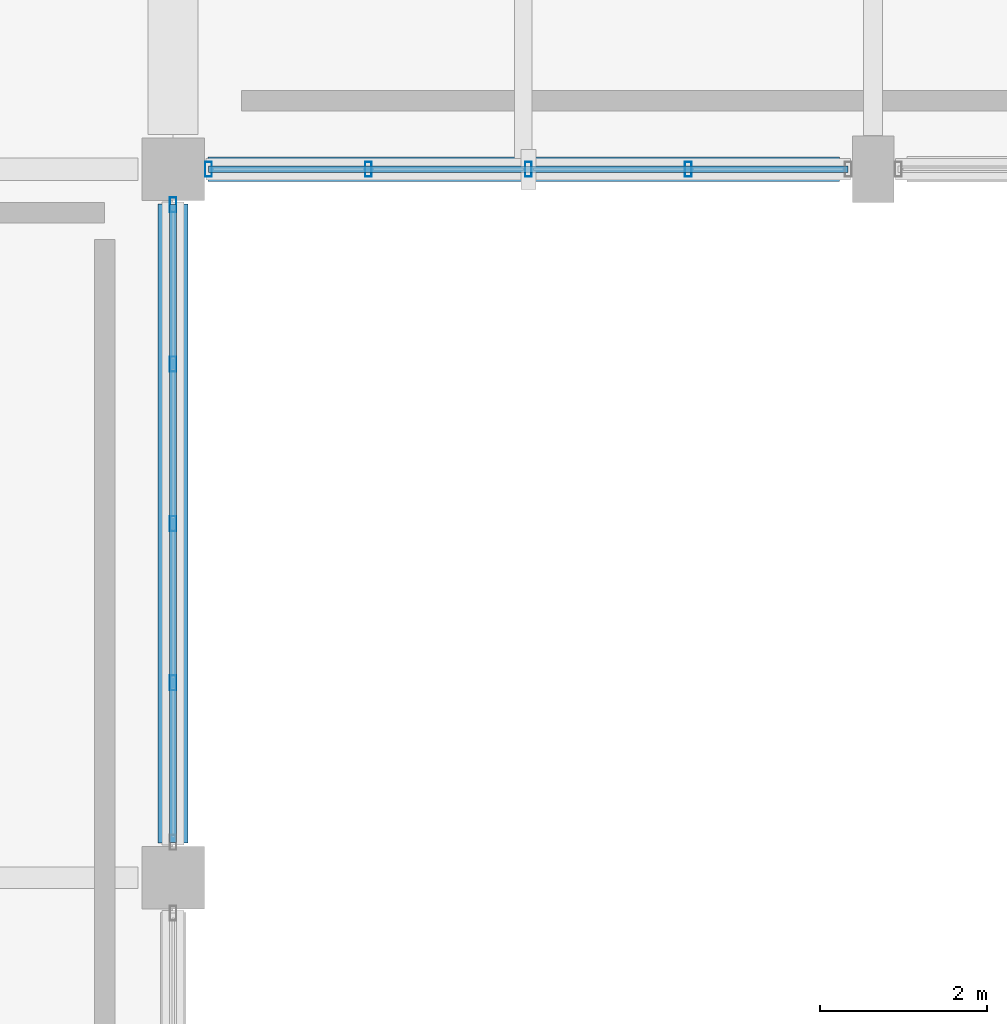
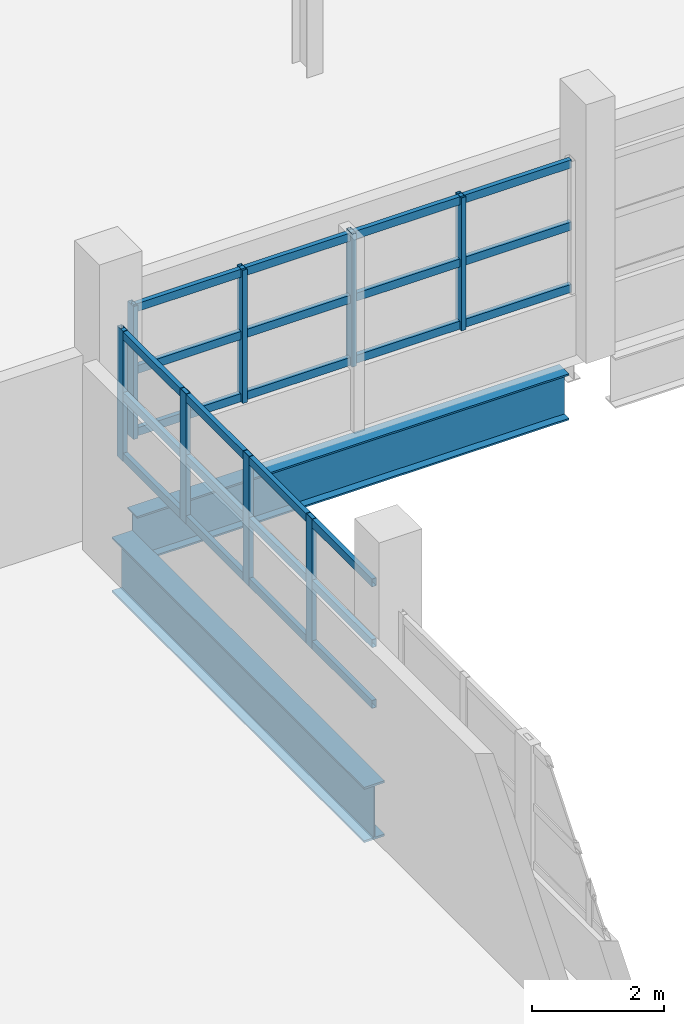
# One storey, part 38 of 117: 14 members, 2 beams, 2 elements without a shape of their own.
"""IFC4 building model written with IfcOpenShell, lengths in metres."""

from ifc_helpers import new_model, si_unit, direction, frame, origin, origin_2d, place, context, subcontext, project, spatial, hollow_rectangle, i_section, extrude, material, material_profile, profile_set, type_object, element, aggregate, save


model = new_model("IFC4")

# Units and contexts
model_context = context("Model", 3, precision=1e-05, world=origin(), true_north=direction((0.0, 1.0)))
body_context = subcontext(model_context, "Body", "Model", "MODEL_VIEW")
ifc_project = project(units=[si_unit("LENGTHUNIT", "METRE"), si_unit("AREAUNIT", "SQUARE_METRE"), si_unit("VOLUMEUNIT", "CUBIC_METRE"), si_unit("PLANEANGLEUNIT", "RADIAN"), si_unit("MASSUNIT", "GRAM", prefix="KILO")], contexts=[model_context])

# Site, building, storey
site_placement = place(None, origin())
site = spatial("IfcSite", under=ifc_project, at=site_placement, CompositionType="ELEMENT")
building_placement = place(site_placement, origin())
building = spatial("IfcBuilding", under=site, at=building_placement, Name="Solvento Point Concert Hall", CompositionType="ELEMENT")
storey_placement = place(building_placement, frame((0.0, 0.0, 5.39990234375)))
storey = spatial("IfcBuildingStorey", under=building, at=storey_placement, Name="L01", CompositionType="ELEMENT", Elevation=5.39990234375)

# Beams
ifc_material_1 = material(Name="Structural Steel ASTM A992 Grade 50", Category="steel")
ifc_material_profile_1 = material_profile(ifc_material_1, i_section(OverallWidth=0.2919921875, OverallDepth=0.85888671875, WebThickness=0.01708984375, FlangeThickness=0.031005859375, at=origin_2d()), Name="W33X169")
ifc_profile_set_1 = profile_set([ifc_material_profile_1], Name="Structural Steel ASTM A992 Grade 50")
beam_type_1 = type_object("IfcBeamType", Name="Girder_W33X169", PredefinedType="USERDEFINED", material=ifc_profile_set_1)
beam_1_placement = place(storey_placement, frame((24.4189453125, 119.0, -0.71337890625), z_axis=(1.0, 0.0, 0.0), x_axis=(0.0, 1.0, 0.0)))
element("IfcBeam", 1, at=beam_1_placement, inside=storey, type_object=beam_type_1, Name="Primary girder B-33 L01", ObjectType="GIRDER", PredefinedType="USERDEFINED", context=body_context, shape_type="SweptSolid", body=[
    extrude(i_section(OverallWidth=0.2919921875, OverallDepth=0.85888671875, WebThickness=0.01708984375, FlangeThickness=0.031005859375, at=origin_2d()), origin(), (0.0, 0.0, 1.0), 7.5771484375),
])
ifc_material_2 = material(Name="Structural Steel ASTM A992 Grade 50", Category="steel")
ifc_material_profile_2 = material_profile(ifc_material_2, i_section(OverallWidth=0.361083984375, OverallDepth=1.02587890625, WebThickness=0.01904296875, FlangeThickness=0.0361328125, at=origin_2d()), Name="W40X249")
ifc_profile_set_2 = profile_set([ifc_material_profile_2], Name="Structural Steel ASTM A992 Grade 50")
beam_type_2 = type_object("IfcBeamType", Name="Girder_W40X249", PredefinedType="USERDEFINED", material=ifc_profile_set_2)
beam_2_placement = place(storey_placement, frame((24.0, 110.9189453125, -0.796875), z_axis=(0.0, 1.0, 0.0), x_axis=(-1.0, 0.0, 0.0)))
element("IfcBeam", 2, at=beam_2_placement, inside=storey, type_object=beam_type_2, Name="Primary girder B-29 L01", ObjectType="GIRDER", PredefinedType="USERDEFINED", context=body_context, shape_type="SweptSolid", body=[
    extrude(i_section(OverallWidth=0.361083984375, OverallDepth=1.02587890625, WebThickness=0.01904296875, FlangeThickness=0.0361328125, at=origin_2d()), origin(), (0.0, 0.0, 1.0), 7.662109375),
])

# Curtain wall, members
ifc_material_3 = material(Name="Anodized Bronze Aluminium", Category="aluminium")
curtain_wall_type = type_object("IfcCurtainWallType", Name="CurtainWall_CourtPilotis", PredefinedType="USERDEFINED", material=ifc_material_3)
curtain_wall_1_placement = place(storey_placement, origin())
curtain_wall_1 = element("IfcCurtainWall", 3, at=curtain_wall_1_placement, inside=storey, type_object=curtain_wall_type, Name="Unitised curtain wall CW-96 UCW-L01-134", ObjectType="UNITISED CURTAIN WALL", PredefinedType="USERDEFINED")
ifc_material_4 = material(Name="Anodized Bronze Aluminium", Category="aluminium")
ifc_material_profile_3 = material_profile(ifc_material_4, hollow_rectangle(XDim=0.080078125, YDim=0.179931640625, WallThickness=0.00390625, at=origin_2d()), Name="CW-MUL-80X180")
ifc_profile_set_3 = profile_set([ifc_material_profile_3], Name="Anodized Bronze Aluminium")
member_type_1 = type_object("IfcMemberType", Name="Mullion_80x180", PredefinedType="MULLION", material=ifc_profile_set_3)
member_1_placement = place(storey_placement, frame((24.425048828125, 119.0, 1.1201171875), z_axis=(0.0, 0.0, 1.0), x_axis=(1.0, 0.0, 0.0)))
member_1 = element("IfcMember", 4, at=member_1_placement, type_object=member_type_1, Name="Curtain wall mullion ML-01", PredefinedType="MULLION", context=body_context, shape_type="SweptSolid", body=[
    extrude(hollow_rectangle(XDim=0.080078125, YDim=0.179931640625, WallThickness=0.00390625, at=origin_2d()), origin(), (0.0, 0.0, 1.0), 2.467041015625),
])
member_2_placement = place(storey_placement, frame((26.34375, 119.0, 1.1201171875), z_axis=(0.0, 0.0, 1.0), x_axis=(1.0, 0.0, 0.0)))
member_2 = element("IfcMember", 5, at=member_2_placement, type_object=member_type_1, Name="Curtain wall mullion ML-01", PredefinedType="MULLION", context=body_context, shape_type="SweptSolid", body=[
    extrude(hollow_rectangle(XDim=0.080078125, YDim=0.179931640625, WallThickness=0.00390625, at=origin_2d()), origin(), (0.0, 0.0, 1.0), 2.467041015625),
])
member_3_placement = place(storey_placement, frame((28.262451171875, 119.0, 1.1201171875), z_axis=(0.0, 0.0, 1.0), x_axis=(1.0, 0.0, 0.0)))
member_3 = element("IfcMember", 6, at=member_3_placement, type_object=member_type_1, Name="Curtain wall mullion ML-01", PredefinedType="MULLION", context=body_context, shape_type="SweptSolid", body=[
    extrude(hollow_rectangle(XDim=0.080078125, YDim=0.179931640625, WallThickness=0.00390625, at=origin_2d()), origin(), (0.0, 0.0, 1.0), 2.467041015625),
])
member_4_placement = place(storey_placement, frame((30.181396484375, 119.0, 1.1201171875), z_axis=(0.0, 0.0, 1.0), x_axis=(1.0, 0.0, 0.0)))
member_4 = element("IfcMember", 7, at=member_4_placement, type_object=member_type_1, Name="Curtain wall mullion ML-01", PredefinedType="MULLION", context=body_context, shape_type="SweptSolid", body=[
    extrude(hollow_rectangle(XDim=0.080078125, YDim=0.179931640625, WallThickness=0.00390625, at=origin_2d()), origin(), (0.0, 0.0, 1.0), 2.467041015625),
])

curtain_wall_2_placement = place(storey_placement, origin())
curtain_wall_2 = element("IfcCurtainWall", 8, at=curtain_wall_2_placement, inside=storey, type_object=curtain_wall_type, Name="Unitised curtain wall CW-96 UCW-L01-141", ObjectType="UNITISED CURTAIN WALL", PredefinedType="USERDEFINED")
member_5_placement = place(storey_placement, frame((24.0, 112.83740234375, 1.1201171875), z_axis=(0.0, 0.0, 1.0), x_axis=(1.0, 0.0, 0.0)))
member_5 = element("IfcMember", 9, at=member_5_placement, type_object=member_type_1, Name="Curtain wall mullion ML-01", PredefinedType="MULLION", context=body_context, shape_type="SweptSolid", body=[
    extrude(hollow_rectangle(XDim=0.080078125, YDim=0.179931640625, WallThickness=0.00390625, at=origin_2d()), origin(), (0.0, 0.0, 1.0), 2.4140625),
])
member_6_placement = place(storey_placement, frame((24.0, 114.75, 1.1201171875), z_axis=(0.0, 0.0, 1.0), x_axis=(1.0, 0.0, 0.0)))
member_6 = element("IfcMember", 10, at=member_6_placement, type_object=member_type_1, Name="Curtain wall mullion ML-01", PredefinedType="MULLION", context=body_context, shape_type="SweptSolid", body=[
    extrude(hollow_rectangle(XDim=0.080078125, YDim=0.179931640625, WallThickness=0.00390625, at=origin_2d()), origin(), (0.0, 0.0, 1.0), 2.4140625),
])
member_7_placement = place(storey_placement, frame((24.0, 116.66259765625, 1.1201171875), z_axis=(0.0, 0.0, 1.0), x_axis=(1.0, 0.0, 0.0)))
member_7 = element("IfcMember", 11, at=member_7_placement, type_object=member_type_1, Name="Curtain wall mullion ML-01", PredefinedType="MULLION", context=body_context, shape_type="SweptSolid", body=[
    extrude(hollow_rectangle(XDim=0.080078125, YDim=0.179931640625, WallThickness=0.00390625, at=origin_2d()), origin(), (0.0, 0.0, 1.0), 2.4140625),
])
member_8_placement = place(storey_placement, frame((24.0, 118.574951171875, 1.1201171875), z_axis=(0.0, 0.0, 1.0), x_axis=(1.0, 0.0, 0.0)))
member_8 = element("IfcMember", 12, at=member_8_placement, type_object=member_type_1, Name="Curtain wall mullion ML-01", PredefinedType="MULLION", context=body_context, shape_type="SweptSolid", body=[
    extrude(hollow_rectangle(XDim=0.080078125, YDim=0.179931640625, WallThickness=0.00390625, at=origin_2d()), origin(), (0.0, 0.0, 1.0), 2.4140625),
])

# Member
ifc_material_5 = material(Name="Anodized Bronze Aluminium", Category="aluminium")
ifc_material_profile_4 = material_profile(ifc_material_5, hollow_rectangle(XDim=0.080078125, YDim=0.14990234375, WallThickness=0.00390625, at=origin_2d()), Name="CW-TRN-80X150")
ifc_profile_set_4 = profile_set([ifc_material_profile_4], Name="Anodized Bronze Aluminium")
member_type_2 = type_object("IfcMemberType", Name="Transom_80x150", PredefinedType="USERDEFINED", material=ifc_profile_set_4)
member_9_placement = place(storey_placement, frame((24.425048828125, 119.0, 1.2001953125), z_axis=(1.0, 0.0, 0.0), x_axis=(0.0, 1.0, 0.0)))
member_9 = element("IfcMember", 13, at=member_9_placement, type_object=member_type_2, Name="Curtain wall transom TR-01", ObjectType="TRANSOM", PredefinedType="USERDEFINED", context=body_context, shape_type="SweptSolid", body=[
    extrude(hollow_rectangle(XDim=0.080078125, YDim=0.14990234375, WallThickness=0.00390625, at=origin_2d()), origin(), (0.0, 0.0, 1.0), 7.675048828125),
])

member_10_placement = place(storey_placement, frame((24.425048828125, 119.0, 2.353515625), z_axis=(1.0, 0.0, 0.0), x_axis=(0.0, 1.0, 0.0)))
member_10 = element("IfcMember", 14, at=member_10_placement, type_object=member_type_2, Name="Curtain wall transom TR-01", ObjectType="TRANSOM", PredefinedType="USERDEFINED", context=body_context, shape_type="SweptSolid", body=[
    extrude(hollow_rectangle(XDim=0.080078125, YDim=0.14990234375, WallThickness=0.00390625, at=origin_2d()), origin(), (0.0, 0.0, 1.0), 7.675048828125),
])

member_11_placement = place(storey_placement, frame((24.425048828125, 119.0, 3.507080078125), z_axis=(1.0, 0.0, 0.0), x_axis=(0.0, 1.0, 0.0)))
member_11 = element("IfcMember", 15, at=member_11_placement, type_object=member_type_2, Name="Curtain wall transom TR-01", ObjectType="TRANSOM", PredefinedType="USERDEFINED", context=body_context, shape_type="SweptSolid", body=[
    extrude(hollow_rectangle(XDim=0.080078125, YDim=0.14990234375, WallThickness=0.00390625, at=origin_2d()), origin(), (0.0, 0.0, 1.0), 7.675048828125),
])

aggregate(curtain_wall_1, [member_1, member_2, member_3, member_4, member_9, member_10, member_11])

member_12_placement = place(storey_placement, frame((24.0, 110.925048828125, 1.2001953125), z_axis=(0.0, 1.0, 0.0), x_axis=(-1.0, 0.0, 0.0)))
member_12 = element("IfcMember", 16, at=member_12_placement, type_object=member_type_2, Name="Curtain wall transom TR-01", ObjectType="TRANSOM", PredefinedType="USERDEFINED", context=body_context, shape_type="SweptSolid", body=[
    extrude(hollow_rectangle(XDim=0.080078125, YDim=0.14990234375, WallThickness=0.00390625, at=origin_2d()), origin(), (0.0, 0.0, 1.0), 7.64990234375),
])

member_13_placement = place(storey_placement, frame((24.0, 110.925048828125, 2.3271484375), z_axis=(0.0, 1.0, 0.0), x_axis=(-1.0, 0.0, 0.0)))
member_13 = element("IfcMember", 17, at=member_13_placement, type_object=member_type_2, Name="Curtain wall transom TR-01", ObjectType="TRANSOM", PredefinedType="USERDEFINED", context=body_context, shape_type="SweptSolid", body=[
    extrude(hollow_rectangle(XDim=0.080078125, YDim=0.14990234375, WallThickness=0.00390625, at=origin_2d()), origin(), (0.0, 0.0, 1.0), 7.64990234375),
])

member_14_placement = place(storey_placement, frame((24.0, 110.925048828125, 3.4541015625), z_axis=(0.0, 1.0, 0.0), x_axis=(-1.0, 0.0, 0.0)))
member_14 = element("IfcMember", 18, at=member_14_placement, type_object=member_type_2, Name="Curtain wall transom TR-01", ObjectType="TRANSOM", PredefinedType="USERDEFINED", context=body_context, shape_type="SweptSolid", body=[
    extrude(hollow_rectangle(XDim=0.080078125, YDim=0.14990234375, WallThickness=0.00390625, at=origin_2d()), origin(), (0.0, 0.0, 1.0), 7.64990234375),
])

aggregate(curtain_wall_2, [member_5, member_6, member_7, member_8, member_12, member_13, member_14])

save(model, "model.ifc")
